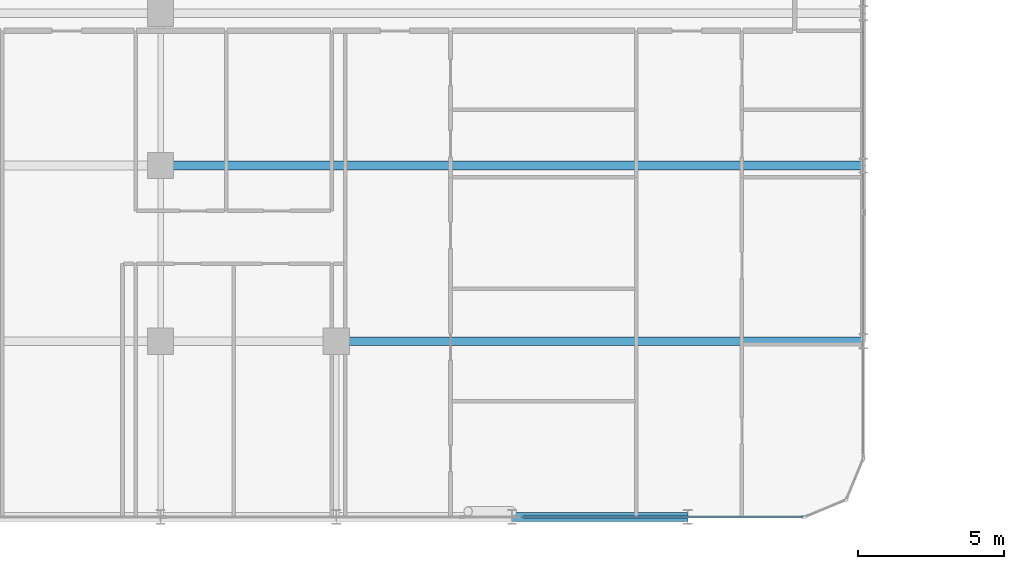
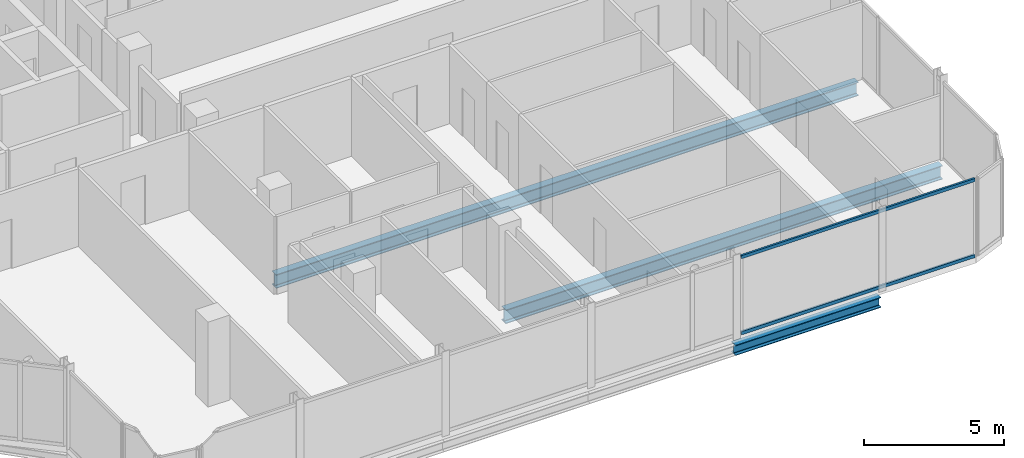
# One storey, part 10 of 31: 3 beams, 2 members, 1 element without a shape of its own.
"""IFC4 building model written with IfcOpenShell, lengths in metres."""

from ifc_helpers import new_model, si_unit, direction, frame, origin, origin_2d, place, context, subcontext, project, spatial, hollow_rectangle, i_section, extrude, material, layer, layer_set, material_profile, profile_set, type_object, element, aggregate, save


model = new_model("IFC4")

# Units and contexts
model_context = context("Model", 3, precision=1e-05, world=origin(), true_north=direction((0.0, 1.0)))
body_context = subcontext(model_context, "Body", "Model", "MODEL_VIEW")
ifc_project = project(units=[si_unit("LENGTHUNIT", "METRE"), si_unit("AREAUNIT", "SQUARE_METRE"), si_unit("VOLUMEUNIT", "CUBIC_METRE"), si_unit("PLANEANGLEUNIT", "RADIAN"), si_unit("MASSUNIT", "GRAM", prefix="KILO")], contexts=[model_context])

# Site, building, storey
site_placement = place(None, origin())
site = spatial("IfcSite", under=ifc_project, at=site_placement, CompositionType="ELEMENT")
building_placement = place(site_placement, origin())
building = spatial("IfcBuilding", under=site, at=building_placement, Name="Keshet Zoharim Tower", CompositionType="ELEMENT")
storey_placement = place(building_placement, frame((0.0, 0.0, 129.800048828125)))
storey = spatial("IfcBuildingStorey", under=building, at=storey_placement, Name="L31", CompositionType="ELEMENT", Elevation=129.800048828125)

# Beams
ifc_material_1 = material(Name="Steel S355", Category="steel")
ifc_material_profile_1 = material_profile(ifc_material_1, i_section(OverallWidth=0.300048828125, OverallDepth=0.60009765625, WebThickness=0.015380859375, FlangeThickness=0.030029296875, FilletRadius=0.027099609375, at=origin_2d()), Name="HEB600")
ifc_profile_set_1 = profile_set([ifc_material_profile_1], Name="Steel S355")
beam_type_1 = type_object("IfcBeamType", Name="BM-LNG-HB600", PredefinedType="BEAM", material=ifc_profile_set_1)
beam_1_placement = place(storey_placement, frame((39.0, 6.699951171875, -0.614990234375), z_axis=(1.0, 0.0, 0.0), x_axis=(0.0, 1.0, 0.0)))
element("IfcBeam", 1, at=beam_1_placement, inside=storey, type_object=beam_type_1, Name="L31 Primary Girder X-008", PredefinedType="BEAM", context=body_context, shape_type="SweptSolid", body=[
    extrude(i_section(OverallWidth=0.300048828125, OverallDepth=0.60009765625, WebThickness=0.015380859375, FlangeThickness=0.030029296875, FilletRadius=0.027099609375, at=origin_2d()), origin(), (0.0, 0.0, 1.0), 18.0),
])
beam_2_placement = place(storey_placement, frame((33.0, 12.699951171875, -0.614990234375), z_axis=(1.0, 0.0, 0.0), x_axis=(0.0, 1.0, 0.0)))
element("IfcBeam", 2, at=beam_2_placement, inside=storey, type_object=beam_type_1, Name="L31 Primary Girder X-010", PredefinedType="BEAM", context=body_context, shape_type="SweptSolid", body=[
    extrude(i_section(OverallWidth=0.300048828125, OverallDepth=0.60009765625, WebThickness=0.015380859375, FlangeThickness=0.030029296875, FilletRadius=0.027099609375, at=origin_2d()), origin(), (0.0, 0.0, 1.0), 24.0),
])
ifc_material_profile_2 = material_profile(ifc_material_1, i_section(OverallWidth=0.300048828125, OverallDepth=0.449951171875, WebThickness=0.013916015625, FlangeThickness=0.02587890625, FilletRadius=0.027099609375, at=origin_2d()), Name="HEB450")
ifc_profile_set_2 = profile_set([ifc_material_profile_2], Name="Steel S355")
beam_type_2 = type_object("IfcBeamType", Name="BM-WEB-HB450", PredefinedType="BEAM", material=ifc_profile_set_2)
beam_3_placement = place(storey_placement, frame((45.0, 0.699951171875, -0.5400390625), z_axis=(1.0, 0.0, 0.0), x_axis=(0.0, 1.0, 0.0)))
element("IfcBeam", 3, at=beam_3_placement, inside=storey, type_object=beam_type_2, Name="L31 Primary Girder X-004", PredefinedType="BEAM", context=body_context, shape_type="SweptSolid", body=[
    extrude(i_section(OverallWidth=0.300048828125, OverallDepth=0.449951171875, WebThickness=0.013916015625, FlangeThickness=0.02587890625, FilletRadius=0.027099609375, at=origin_2d()), origin(), (0.0, 0.0, 1.0), 6.0),
])

# Curtain wall, members
ifc_material_2 = material(Name="Aluminium 6063-T6", Category="aluminium")
ifc_layer = layer(ifc_material_2, 0.159912109375)
ifc_layer_set = layer_set([ifc_layer], Name="Aluminium 6063-T6")
curtain_wall_type = type_object("IfcCurtainWallType", Name="CW-SYS-03", PredefinedType="NOTDEFINED", material=ifc_layer_set)
curtain_wall_placement = place(storey_placement, origin())
curtain_wall = element("IfcCurtainWall", 4, at=curtain_wall_placement, inside=storey, type_object=curtain_wall_type, Name="L31 Unitised Curtain Wall 03", PredefinedType="NOTDEFINED")
ifc_material_profile_3 = material_profile(ifc_material_2, hollow_rectangle(XDim=0.080078125, YDim=0.139892578125, WallThickness=0.00390625, at=origin_2d()), Name="TRN-80x140")
ifc_profile_set_3 = profile_set([ifc_material_profile_3], Name="Aluminium 6063-T6")
member_type = type_object("IfcMemberType", Name="CWT-T14", PredefinedType="USERDEFINED", material=ifc_profile_set_3)
member_1_placement = place(storey_placement, frame((54.929931640625, 0.699951171875, 0.034912109375), z_axis=(-1.0, 0.0, 0.0), x_axis=(0.0, -1.0, 0.0)))
member_1 = element("IfcMember", 5, at=member_1_placement, type_object=member_type, Name="CW-03 transom 1.1", ObjectType="TRANSOM", PredefinedType="USERDEFINED", context=body_context, shape_type="SweptSolid", body=[
    extrude(hollow_rectangle(XDim=0.080078125, YDim=0.139892578125, WallThickness=0.00390625, at=origin_2d()), origin(), (0.0, 0.0, 1.0), 9.61181640625),
])
member_2_placement = place(storey_placement, frame((54.929931640625, 0.699951171875, 3.349853515625), z_axis=(-1.0, 0.0, 0.0), x_axis=(0.0, -1.0, 0.0)))
member_2 = element("IfcMember", 6, at=member_2_placement, type_object=member_type, Name="CW-03 transom 1.2", ObjectType="TRANSOM", PredefinedType="USERDEFINED", context=body_context, shape_type="SweptSolid", body=[
    extrude(hollow_rectangle(XDim=0.080078125, YDim=0.139892578125, WallThickness=0.00390625, at=origin_2d()), origin(), (0.0, 0.0, 1.0), 9.61181640625),
])
aggregate(curtain_wall, [member_1, member_2])

save(model, "model.ifc")
